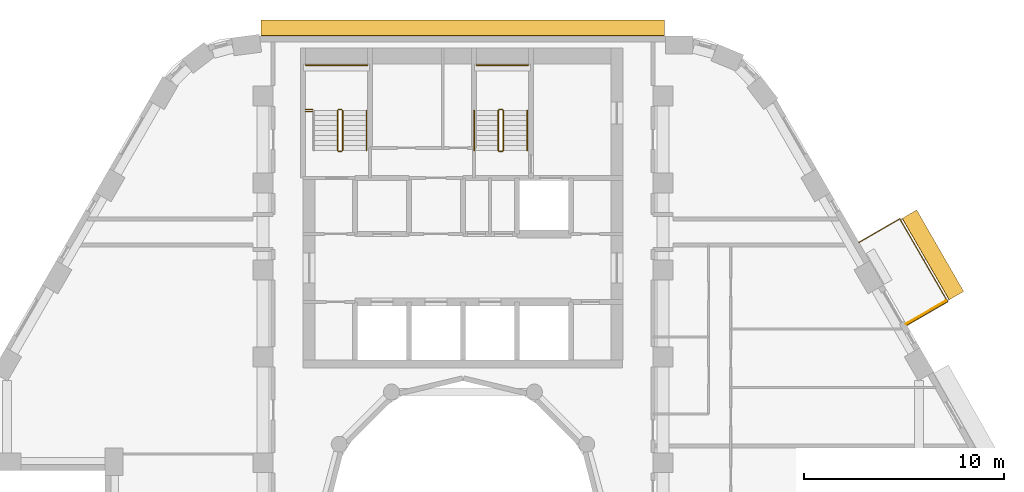
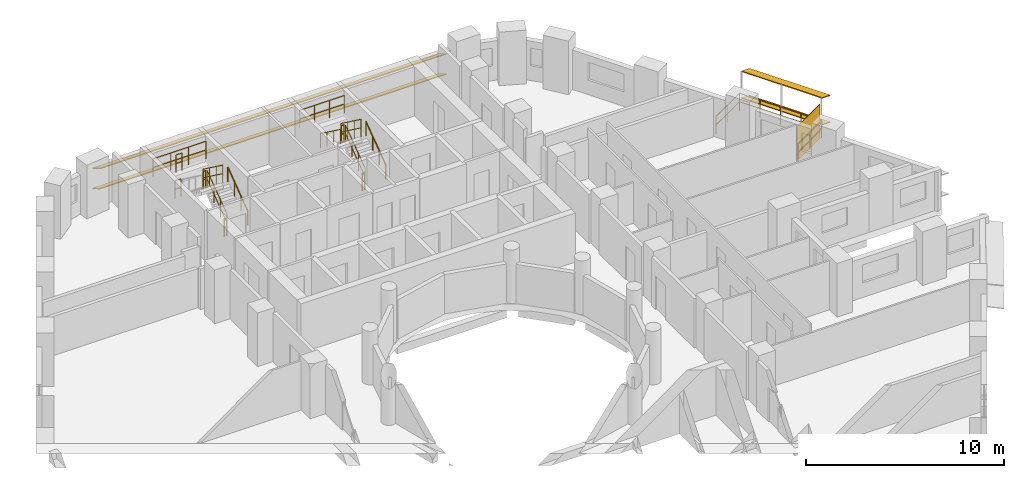
# One storey, part 13 of 13: 16 railings, 5 shading devices.
"""IFC4 building model written with IfcOpenShell, lengths in metres."""

from ifc_helpers import new_model, si_unit, direction, frame, origin, origin_2d, place, context, subcontext, project, spatial, rectangle, circle, extrude, material, layer, layer_set, material_profile, profile_set, type_object, element, save


model = new_model("IFC4")

# Units and contexts
model_context = context("Model", 3, precision=1e-05, world=origin(), true_north=direction((0.0, 1.0)))
body_context = subcontext(model_context, "Body", "Model", "MODEL_VIEW")
ifc_project = project(units=[si_unit("LENGTHUNIT", "METRE"), si_unit("AREAUNIT", "SQUARE_METRE"), si_unit("VOLUMEUNIT", "CUBIC_METRE"), si_unit("PLANEANGLEUNIT", "RADIAN"), si_unit("MASSUNIT", "GRAM", prefix="KILO")], contexts=[model_context])

# Site, building, storey
site_placement = place(None, origin())
site = spatial("IfcSite", under=ifc_project, at=site_placement, CompositionType="ELEMENT")
building_placement = place(site_placement, origin())
building = spatial("IfcBuilding", under=site, at=building_placement, Name="Nakaniwa Court", CompositionType="ELEMENT")
storey_placement = place(building_placement, frame((0.0, 0.0, 77.699951171875)))
storey = spatial("IfcBuildingStorey", under=building, at=storey_placement, Name="L19", CompositionType="ELEMENT", Elevation=77.699951171875)

# Railing
ifc_material_1 = material(Name="Black powder-coated steel flat bar balustrade S275", Category="steel")
railing_type_1 = type_object("IfcRailingType", Name="Black metal balcony guard 1100", PredefinedType="GUARDRAIL", material=ifc_material_1)
railing_1_placement = place(storey_placement, frame((102.210693359375, 89.530029296875, -0.050048828125)))
element("IfcRailing", 1, at=railing_1_placement, inside=storey, type_object=railing_type_1, Name="L19 balcony guard 01", PredefinedType="GUARDRAIL", context=body_context, shape_type="SweptSolid", body=[
    extrude(circle(Radius=0.02392578125, at=origin_2d()), frame((0.0, 0.0, 1.076171875), z_axis=(0.865980564943, 0.500077655111, 0.0), x_axis=(-0.500077655111, 0.865980564943, 0.0)), (0.0, 0.0, 1.0), 2.35986328125),
    extrude(circle(Radius=0.02392578125, at=origin_2d()), frame((0.0, 0.0, 0.550048828125), z_axis=(0.865980564943, 0.500077655111, 0.0), x_axis=(-0.500077655111, 0.865980564943, 0.0)), (0.0, 0.0, 1.0), 2.35986328125),
    extrude(circle(Radius=0.02392578125, at=origin_2d()), frame((2.043701171875, 1.18017578125, 1.076171875), z_axis=(-0.500006494744, 0.86602165401, 0.0), x_axis=(-0.86602165401, -0.500006494744, 0.0)), (0.0, 0.0, 1.0), 4.78662109375),
    extrude(circle(Radius=0.02392578125, at=origin_2d()), frame((2.043701171875, 1.18017578125, 0.550048828125), z_axis=(-0.500006494744, 0.86602165401, 0.0), x_axis=(-0.86602165401, -0.500006494744, 0.0)), (0.0, 0.0, 1.0), 4.78662109375),
    extrude(circle(Radius=0.02392578125, at=origin_2d()), frame((-0.349609375, 5.325439453125, 1.076171875), z_axis=(-0.865980564943, -0.500077655111, 0.0), x_axis=(0.500077655111, -0.865980564943, 0.0)), (0.0, 0.0, 1.0), 2.35986328125),
    extrude(circle(Radius=0.02392578125, at=origin_2d()), frame((-0.349609375, 5.325439453125, 0.550048828125), z_axis=(-0.865980564943, -0.500077655111, 0.0), x_axis=(0.500077655111, -0.865980564943, 0.0)), (0.0, 0.0, 1.0), 2.35986328125),
    extrude(circle(Radius=0.02099609375, at=origin_2d()), origin(), (0.0, 0.0, 1.0), 1.052001953125),
    extrude(circle(Radius=0.02099609375, at=origin_2d()), frame((1.02197265625, 0.590087890625, 0.0)), (0.0, 0.0, 1.0), 1.052001953125),
    extrude(circle(Radius=0.02099609375, at=origin_2d()), frame((2.043701171875, 1.18017578125, 0.0)), (0.0, 0.0, 1.0), 1.052001953125),
    extrude(circle(Radius=0.02099609375, at=origin_2d()), frame((1.4453125, 2.216552734375, 0.0)), (0.0, 0.0, 1.0), 1.052001953125),
    extrude(circle(Radius=0.02099609375, at=origin_2d()), frame((0.84716796875, 3.2529296875, 0.0)), (0.0, 0.0, 1.0), 1.052001953125),
    extrude(circle(Radius=0.02099609375, at=origin_2d()), frame((0.248779296875, 4.2890625, 0.0)), (0.0, 0.0, 1.0), 1.052001953125),
    extrude(circle(Radius=0.02099609375, at=origin_2d()), frame((-0.349609375, 5.325439453125, 0.0)), (0.0, 0.0, 1.0), 1.052001953125),
    extrude(circle(Radius=0.02099609375, at=origin_2d()), frame((-1.37158203125, 4.7353515625, 0.0)), (0.0, 0.0, 1.0), 1.052001953125),
    extrude(circle(Radius=0.02099609375, at=origin_2d()), frame((-2.393310546875, 4.145263671875, 0.0)), (0.0, 0.0, 1.0), 1.052001953125),
])

# Shading devices
ifc_material_2 = material(Name="Black powder-coated aluminium slat screen", Category="aluminium")
ifc_layer = layer(ifc_material_2, 0.0400390625)
ifc_layer_set = layer_set([ifc_layer], Name="Black powder-coated aluminium slat screen")
shading_device_type_1 = type_object("IfcShadingDeviceType", Name="Koshi screen black metal", PredefinedType="USERDEFINED", material=ifc_layer_set)
shading_device_placement = place(storey_placement, frame((103.1708984375, 90.177001953125, -0.050048828125), z_axis=(0.0, 0.0, 1.0), x_axis=(-0.499974304289, 0.866040238702, 0.0)))
element("IfcShadingDevice", 2, at=shading_device_placement, inside=storey, type_object=shading_device_type_1, Name="L19 balcony SCREEN 01 W", ObjectType="KOSHI SCREEN", PredefinedType="USERDEFINED", context=body_context, shape_type="SweptSolid", body=[
    extrude(rectangle(XDim=0.0400390625, YDim=2.31005859375, at=origin_2d()), origin(), (0.0, 0.0, 1.0), 2.10009765625),
])
ifc_material_3 = material(Name="Perforated charcoal ceramic louvre blade")
ifc_material_profile = material_profile(ifc_material_3, rectangle(XDim=0.89990234375, YDim=0.050048828125, at=origin_2d()), Name="Perforated ceramic louvre blade")
ifc_profile_set = profile_set([ifc_material_profile], Name="Perforated charcoal ceramic louvre blade")
shading_device_type_2 = type_object("IfcShadingDeviceType", Name="Perforated ceramic louvre blade", PredefinedType="JALOUSIE", material=ifc_profile_set)
for number, where, z_axis, x_axis, name in (
    (3, (104.689208984375, 91.00732421875, 0.5), (-0.499943973338, 0.866057748376, 0.0), (-0.800133027698, -0.461888004369, 0.382683432365), "L19 perforated ceramic louvre blade 01 1"),
    (4, (104.689208984375, 91.00732421875, 2.150146484375), (-0.499943973338, 0.866057748376, 0.0), (-0.800133027698, -0.461888004369, 0.382683432365), "L19 perforated ceramic louvre blade 01 2"),
):
    element("IfcShadingDevice", number, at=place(storey_placement, frame(where, z_axis=z_axis, x_axis=x_axis)), inside=storey, type_object=shading_device_type_2, Name=name, PredefinedType="JALOUSIE", context=body_context, shape_type="SweptSolid", body=[
        extrude(rectangle(XDim=0.89990234375, YDim=0.050048828125, at=origin_2d()), origin(), (0.0, 0.0, 1.0), 4.70654296875),
    ])
for number, where, z_axis, x_axis, name in (
    (5, (90.07861328125, 104.402099609375, 0.550048828125), (-1.0, 0.0, 0.0), (0.0, -0.866025403784, 0.5), "L19 perforated ceramic louvre blade w08 1"),
    (6, (90.07861328125, 104.402099609375, 1.79345703125), (-1.0, 0.0, 0.0), (0.0, -0.866025403784, 0.5), "L19 perforated ceramic louvre blade w08 2"),
):
    element("IfcShadingDevice", number, at=place(storey_placement, frame(where, z_axis=z_axis, x_axis=x_axis)), inside=storey, type_object=shading_device_type_2, Name=name, PredefinedType="JALOUSIE", context=body_context, shape_type="SweptSolid", body=[
        extrude(rectangle(XDim=0.89990234375, YDim=0.050048828125, at=origin_2d()), origin(), (0.0, 0.0, 1.0), 20.19091796875),
    ])

# Railings
ifc_material_4 = material(Name="Black powder coated steel guard", Category="steel")
railing_type_2 = type_object("IfcRailingType", Name="Stair guard 1100", PredefinedType="GUARDRAIL", material=ifc_material_4)
railing_2_placement = place(storey_placement, frame((73.97509765625, 98.27490234375, 0.183349609375)))
element("IfcRailing", 7, at=railing_2_placement, inside=storey, type_object=railing_type_2, Name="L19 ST1 stair guard 1", PredefinedType="GUARDRAIL", context=body_context, shape_type="SweptSolid", body=[
    extrude(circle(Radius=0.02392578125, at=origin_2d()), frame((0.0, 0.0, 1.076171875), z_axis=(0.0, 0.806379959628, 0.591397802423), x_axis=(-1.0, 0.0, 0.0)), (0.0, 0.0, 1.0), 2.480224609375),
    extrude(circle(Radius=0.02392578125, at=origin_2d()), frame((0.0, 0.0, 0.550048828125), z_axis=(0.0, 0.806379959628, 0.591397802423), x_axis=(-1.0, 0.0, 0.0)), (0.0, 0.0, 1.0), 2.480224609375),
    extrude(circle(Radius=0.02099609375, at=origin_2d()), origin(), (0.0, 0.0, 1.0), 1.052001953125),
    extrude(circle(Radius=0.02099609375, at=origin_2d()), frame((0.0, 0.666748046875, 0.489013671875)), (0.0, 0.0, 1.0), 1.052001953125),
    extrude(circle(Radius=0.02099609375, at=origin_2d()), frame((0.0, 1.333251953125, 0.977783203125)), (0.0, 0.0, 1.0), 1.052001953125),
    extrude(circle(Radius=0.02099609375, at=origin_2d()), frame((0.0, 2.0, 1.466796875)), (0.0, 0.0, 1.0), 1.052001953125),
])
railing_3_placement = place(storey_placement, frame((73.925048828125, 100.324951171875, 1.650146484375)))
element("IfcRailing", 8, at=railing_3_placement, inside=storey, type_object=railing_type_2, Name="L19 ST1 stair guard 2", PredefinedType="GUARDRAIL", context=body_context, shape_type="SweptSolid", body=[
    extrude(circle(Radius=0.02392578125, at=origin_2d()), frame((0.0, 0.0, 1.076171875), z_axis=(-1.0, 0.0, 0.0), x_axis=(0.0, -1.0, 0.0)), (0.0, 0.0, 1.0), 0.150146484375),
    extrude(circle(Radius=0.02392578125, at=origin_2d()), frame((0.0, 0.0, 0.550048828125), z_axis=(-1.0, 0.0, 0.0), x_axis=(0.0, -1.0, 0.0)), (0.0, 0.0, 1.0), 0.150146484375),
    extrude(circle(Radius=0.02099609375, at=origin_2d()), origin(), (0.0, 0.0, 1.0), 1.052001953125),
    extrude(circle(Radius=0.02099609375, at=origin_2d()), frame((-0.150146484375, 0.0, 0.0)), (0.0, 0.0, 1.0), 1.052001953125),
])
railing_4_placement = place(storey_placement, frame((73.72509765625, 100.27490234375, 1.83349609375)))
element("IfcRailing", 9, at=railing_4_placement, inside=storey, type_object=railing_type_2, Name="L19 ST1 stair guard 3", PredefinedType="GUARDRAIL", context=body_context, shape_type="SweptSolid", body=[
    extrude(circle(Radius=0.02392578125, at=origin_2d()), frame((0.0, 0.0, 1.076171875), z_axis=(0.0, -0.806426902644, 0.591333789573), x_axis=(1.0, 0.0, 0.0)), (0.0, 0.0, 1.0), 2.47998046875),
    extrude(circle(Radius=0.02392578125, at=origin_2d()), frame((0.0, 0.0, 0.550048828125), z_axis=(0.0, -0.806426902644, 0.591333789573), x_axis=(1.0, 0.0, 0.0)), (0.0, 0.0, 1.0), 2.47998046875),
    extrude(circle(Radius=0.02099609375, at=origin_2d()), origin(), (0.0, 0.0, 1.0), 1.052001953125),
    extrude(circle(Radius=0.02099609375, at=origin_2d()), frame((0.0, -0.666748046875, 0.48876953125)), (0.0, 0.0, 1.0), 1.052001953125),
    extrude(circle(Radius=0.02099609375, at=origin_2d()), frame((0.0, -1.333251953125, 0.977783203125)), (0.0, 0.0, 1.0), 1.052001953125),
    extrude(circle(Radius=0.02099609375, at=origin_2d()), frame((0.0, -2.0, 1.466552734375)), (0.0, 0.0, 1.0), 1.052001953125),
])
railing_5_placement = place(storey_placement, frame((73.925048828125, 98.22509765625, 0.0)))
element("IfcRailing", 10, at=railing_5_placement, inside=storey, type_object=railing_type_2, Name="L19 ST1 stair guard 4", PredefinedType="GUARDRAIL", context=body_context, shape_type="SweptSolid", body=[
    extrude(circle(Radius=0.02392578125, at=origin_2d()), frame((0.0, 0.0, 1.076171875), z_axis=(-1.0, 0.0, 0.0), x_axis=(0.0, -1.0, 0.0)), (0.0, 0.0, 1.0), 0.150146484375),
    extrude(circle(Radius=0.02392578125, at=origin_2d()), frame((0.0, 0.0, 0.550048828125), z_axis=(-1.0, 0.0, 0.0), x_axis=(0.0, -1.0, 0.0)), (0.0, 0.0, 1.0), 0.150146484375),
    extrude(circle(Radius=0.02099609375, at=origin_2d()), origin(), (0.0, 0.0, 1.0), 1.052001953125),
    extrude(circle(Radius=0.02099609375, at=origin_2d()), frame((-0.150146484375, 0.0, 0.0)), (0.0, 0.0, 1.0), 1.052001953125),
])
railing_6_placement = place(storey_placement, frame((72.125, 102.550048828125, 1.650146484375)))
element("IfcRailing", 11, at=railing_6_placement, inside=storey, type_object=railing_type_2, Name="L19 ST1 landing end guard 1", PredefinedType="GUARDRAIL", context=body_context, shape_type="SweptSolid", body=[
    extrude(circle(Radius=0.02392578125, at=origin_2d()), frame((0.0, 0.0, 1.076171875), z_axis=(1.0, 0.0, 0.0), x_axis=(0.0, 1.0, 0.0)), (0.0, 0.0, 1.0), 3.10009765625),
    extrude(circle(Radius=0.02392578125, at=origin_2d()), frame((0.0, 0.0, 0.550048828125), z_axis=(1.0, 0.0, 0.0), x_axis=(0.0, 1.0, 0.0)), (0.0, 0.0, 1.0), 3.10009765625),
    extrude(circle(Radius=0.02099609375, at=origin_2d()), origin(), (0.0, 0.0, 1.0), 1.052001953125),
    extrude(circle(Radius=0.02099609375, at=origin_2d()), frame((1.033447265625, 0.0, 0.0)), (0.0, 0.0, 1.0), 1.052001953125),
    extrude(circle(Radius=0.02099609375, at=origin_2d()), frame((2.066650390625, 0.0, 0.0)), (0.0, 0.0, 1.0), 1.052001953125),
    extrude(circle(Radius=0.02099609375, at=origin_2d()), frame((3.10009765625, 0.0, 0.0)), (0.0, 0.0, 1.0), 1.052001953125),
])
for number, where, name in (
    (12, (72.125, 100.324951171875, 1.650146484375), "L19 ST1 landing side guard 1W"),
    (13, (72.125, 100.22509765625, 3.300048828125), "L19 ST1 floor edge guard 1W"),
):
    element("IfcRailing", number, at=place(storey_placement, frame(where)), inside=storey, type_object=railing_type_2, Name=name, PredefinedType="GUARDRAIL", context=body_context, shape_type="SweptSolid", body=[
        extrude(circle(Radius=0.02392578125, at=origin_2d()), frame((0.0, 0.0, 1.076171875), z_axis=(1.0, 0.0, 0.0), x_axis=(0.0, 1.0, 0.0)), (0.0, 0.0, 1.0), 0.35009765625),
        extrude(circle(Radius=0.02392578125, at=origin_2d()), frame((0.0, 0.0, 0.550048828125), z_axis=(1.0, 0.0, 0.0), x_axis=(0.0, 1.0, 0.0)), (0.0, 0.0, 1.0), 0.35009765625),
        extrude(circle(Radius=0.02099609375, at=origin_2d()), origin(), (0.0, 0.0, 1.0), 1.052001953125),
        extrude(circle(Radius=0.02099609375, at=origin_2d()), frame((0.35009765625, 0.0, 0.0)), (0.0, 0.0, 1.0), 1.052001953125),
    ])
railing_7_placement = place(storey_placement, frame((82.02490234375, 98.27490234375, 0.183349609375)))
element("IfcRailing", 14, at=railing_7_placement, inside=storey, type_object=railing_type_2, Name="L19 ST2 stair guard 1", PredefinedType="GUARDRAIL", context=body_context, shape_type="SweptSolid", body=[
    extrude(circle(Radius=0.02392578125, at=origin_2d()), frame((0.0, 0.0, 1.076171875), z_axis=(0.0, 0.806379959628, 0.591397802423), x_axis=(-1.0, 0.0, 0.0)), (0.0, 0.0, 1.0), 2.480224609375),
    extrude(circle(Radius=0.02392578125, at=origin_2d()), frame((0.0, 0.0, 0.550048828125), z_axis=(0.0, 0.806379959628, 0.591397802423), x_axis=(-1.0, 0.0, 0.0)), (0.0, 0.0, 1.0), 2.480224609375),
    extrude(circle(Radius=0.02099609375, at=origin_2d()), origin(), (0.0, 0.0, 1.0), 1.052001953125),
    extrude(circle(Radius=0.02099609375, at=origin_2d()), frame((0.0, 0.666748046875, 0.489013671875)), (0.0, 0.0, 1.0), 1.052001953125),
    extrude(circle(Radius=0.02099609375, at=origin_2d()), frame((0.0, 1.333251953125, 0.977783203125)), (0.0, 0.0, 1.0), 1.052001953125),
    extrude(circle(Radius=0.02099609375, at=origin_2d()), frame((0.0, 2.0, 1.466796875)), (0.0, 0.0, 1.0), 1.052001953125),
])
railing_8_placement = place(storey_placement, frame((81.97509765625, 100.324951171875, 1.650146484375)))
element("IfcRailing", 15, at=railing_8_placement, inside=storey, type_object=railing_type_2, Name="L19 ST2 stair guard 2", PredefinedType="GUARDRAIL", context=body_context, shape_type="SweptSolid", body=[
    extrude(circle(Radius=0.02392578125, at=origin_2d()), frame((0.0, 0.0, 1.076171875), z_axis=(-1.0, 0.0, 0.0), x_axis=(0.0, -1.0, 0.0)), (0.0, 0.0, 1.0), 0.150146484375),
    extrude(circle(Radius=0.02392578125, at=origin_2d()), frame((0.0, 0.0, 0.550048828125), z_axis=(-1.0, 0.0, 0.0), x_axis=(0.0, -1.0, 0.0)), (0.0, 0.0, 1.0), 0.150146484375),
    extrude(circle(Radius=0.02099609375, at=origin_2d()), origin(), (0.0, 0.0, 1.0), 1.052001953125),
    extrude(circle(Radius=0.02099609375, at=origin_2d()), frame((-0.150146484375, 0.0, 0.0)), (0.0, 0.0, 1.0), 1.052001953125),
])
railing_9_placement = place(storey_placement, frame((81.77490234375, 100.27490234375, 1.83349609375)))
element("IfcRailing", 16, at=railing_9_placement, inside=storey, type_object=railing_type_2, Name="L19 ST2 stair guard 3", PredefinedType="GUARDRAIL", context=body_context, shape_type="SweptSolid", body=[
    extrude(circle(Radius=0.02392578125, at=origin_2d()), frame((0.0, 0.0, 1.076171875), z_axis=(0.0, -0.806426902644, 0.591333789573), x_axis=(1.0, 0.0, 0.0)), (0.0, 0.0, 1.0), 2.47998046875),
    extrude(circle(Radius=0.02392578125, at=origin_2d()), frame((0.0, 0.0, 0.550048828125), z_axis=(0.0, -0.806426902644, 0.591333789573), x_axis=(1.0, 0.0, 0.0)), (0.0, 0.0, 1.0), 2.47998046875),
    extrude(circle(Radius=0.02099609375, at=origin_2d()), origin(), (0.0, 0.0, 1.0), 1.052001953125),
    extrude(circle(Radius=0.02099609375, at=origin_2d()), frame((0.0, -0.666748046875, 0.48876953125)), (0.0, 0.0, 1.0), 1.052001953125),
    extrude(circle(Radius=0.02099609375, at=origin_2d()), frame((0.0, -1.333251953125, 0.977783203125)), (0.0, 0.0, 1.0), 1.052001953125),
    extrude(circle(Radius=0.02099609375, at=origin_2d()), frame((0.0, -2.0, 1.466552734375)), (0.0, 0.0, 1.0), 1.052001953125),
])
railing_10_placement = place(storey_placement, frame((81.97509765625, 98.22509765625, 0.0)))
element("IfcRailing", 17, at=railing_10_placement, inside=storey, type_object=railing_type_2, Name="L19 ST2 stair guard 4", PredefinedType="GUARDRAIL", context=body_context, shape_type="SweptSolid", body=[
    extrude(circle(Radius=0.02392578125, at=origin_2d()), frame((0.0, 0.0, 1.076171875), z_axis=(-1.0, 0.0, 0.0), x_axis=(0.0, -1.0, 0.0)), (0.0, 0.0, 1.0), 0.150146484375),
    extrude(circle(Radius=0.02392578125, at=origin_2d()), frame((0.0, 0.0, 0.550048828125), z_axis=(-1.0, 0.0, 0.0), x_axis=(0.0, -1.0, 0.0)), (0.0, 0.0, 1.0), 0.150146484375),
    extrude(circle(Radius=0.02099609375, at=origin_2d()), origin(), (0.0, 0.0, 1.0), 1.052001953125),
    extrude(circle(Radius=0.02099609375, at=origin_2d()), frame((-0.150146484375, 0.0, 0.0)), (0.0, 0.0, 1.0), 1.052001953125),
])
railing_11_placement = place(storey_placement, frame((80.675048828125, 102.550048828125, 1.650146484375)))
element("IfcRailing", 18, at=railing_11_placement, inside=storey, type_object=railing_type_2, Name="L19 ST2 landing end guard 1", PredefinedType="GUARDRAIL", context=body_context, shape_type="SweptSolid", body=[
    extrude(circle(Radius=0.02392578125, at=origin_2d()), frame((0.0, 0.0, 1.076171875), z_axis=(1.0, 0.0, 0.0), x_axis=(0.0, 1.0, 0.0)), (0.0, 0.0, 1.0), 2.599853515625),
    extrude(circle(Radius=0.02392578125, at=origin_2d()), frame((0.0, 0.0, 0.550048828125), z_axis=(1.0, 0.0, 0.0), x_axis=(0.0, 1.0, 0.0)), (0.0, 0.0, 1.0), 2.599853515625),
    extrude(circle(Radius=0.02099609375, at=origin_2d()), origin(), (0.0, 0.0, 1.0), 1.052001953125),
    extrude(circle(Radius=0.02099609375, at=origin_2d()), frame((0.86669921875, 0.0, 0.0)), (0.0, 0.0, 1.0), 1.052001953125),
    extrude(circle(Radius=0.02099609375, at=origin_2d()), frame((1.733154296875, 0.0, 0.0)), (0.0, 0.0, 1.0), 1.052001953125),
    extrude(circle(Radius=0.02099609375, at=origin_2d()), frame((2.599853515625, 0.0, 0.0)), (0.0, 0.0, 1.0), 1.052001953125),
])
ifc_material_5 = material(Name="Black powder coated steel handrail", Category="steel")
railing_type_3 = type_object("IfcRailingType", Name="Stair handrail 900", PredefinedType="HANDRAIL", material=ifc_material_5)
for number, where, name in (
    (19, (75.175048828125, 98.27490234375, 0.183349609375), "L19 ST1 stair handrail 1"),
    (20, (83.22509765625, 98.27490234375, 0.183349609375), "L19 ST2 stair handrail 1"),
):
    element("IfcRailing", number, at=place(storey_placement, frame(where)), inside=storey, type_object=railing_type_3, Name=name, PredefinedType="HANDRAIL", context=body_context, shape_type="SweptSolid", body=[
        extrude(circle(Radius=0.02392578125, at=origin_2d()), frame((0.0, 0.0, 0.8759765625), z_axis=(0.0, 0.806379959628, 0.591397802423), x_axis=(-1.0, 0.0, 0.0)), (0.0, 0.0, 1.0), 2.480224609375),
        extrude(circle(Radius=0.02099609375, at=origin_2d()), origin(), (0.0, 0.0, 1.0), 0.851806640625),
        extrude(circle(Radius=0.02099609375, at=origin_2d()), frame((0.0, 0.666748046875, 0.489013671875)), (0.0, 0.0, 1.0), 0.851806640625),
        extrude(circle(Radius=0.02099609375, at=origin_2d()), frame((0.0, 1.333251953125, 0.977783203125)), (0.0, 0.0, 1.0), 0.851806640625),
        extrude(circle(Radius=0.02099609375, at=origin_2d()), frame((0.0, 2.0, 1.466796875)), (0.0, 0.0, 1.0), 0.851806640625),
    ])
railing_12_placement = place(storey_placement, frame((80.574951171875, 100.27490234375, 1.83349609375)))
element("IfcRailing", 21, at=railing_12_placement, inside=storey, type_object=railing_type_3, Name="L19 ST2 stair handrail 2", PredefinedType="HANDRAIL", context=body_context, shape_type="SweptSolid", body=[
    extrude(circle(Radius=0.02392578125, at=origin_2d()), frame((0.0, 0.0, 0.8759765625), z_axis=(0.0, -0.806426902644, 0.591333789573), x_axis=(1.0, 0.0, 0.0)), (0.0, 0.0, 1.0), 2.47998046875),
    extrude(circle(Radius=0.02099609375, at=origin_2d()), origin(), (0.0, 0.0, 1.0), 0.851806640625),
    extrude(circle(Radius=0.02099609375, at=origin_2d()), frame((0.0, -0.666748046875, 0.48876953125)), (0.0, 0.0, 1.0), 0.851806640625),
    extrude(circle(Radius=0.02099609375, at=origin_2d()), frame((0.0, -1.333251953125, 0.977783203125)), (0.0, 0.0, 1.0), 0.851806640625),
    extrude(circle(Radius=0.02099609375, at=origin_2d()), frame((0.0, -2.0, 1.466552734375)), (0.0, 0.0, 1.0), 0.851806640625),
])

save(model, "model.ifc")
